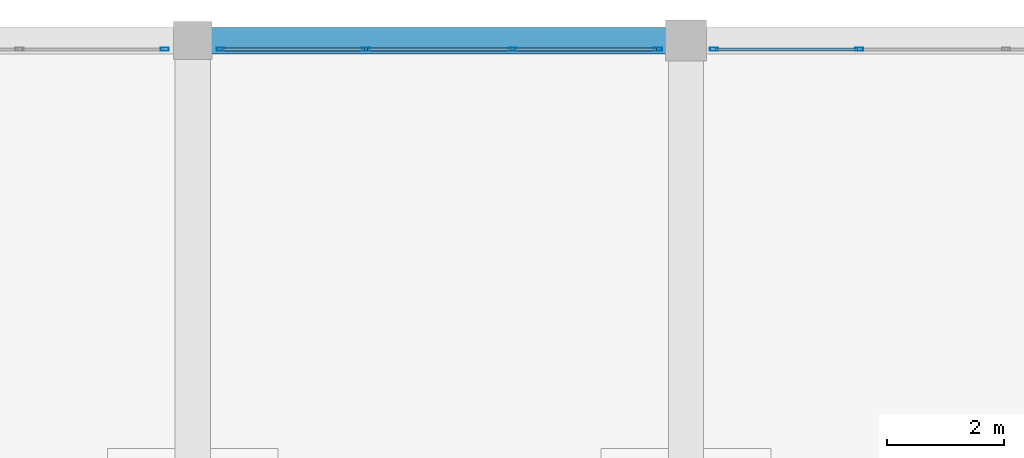
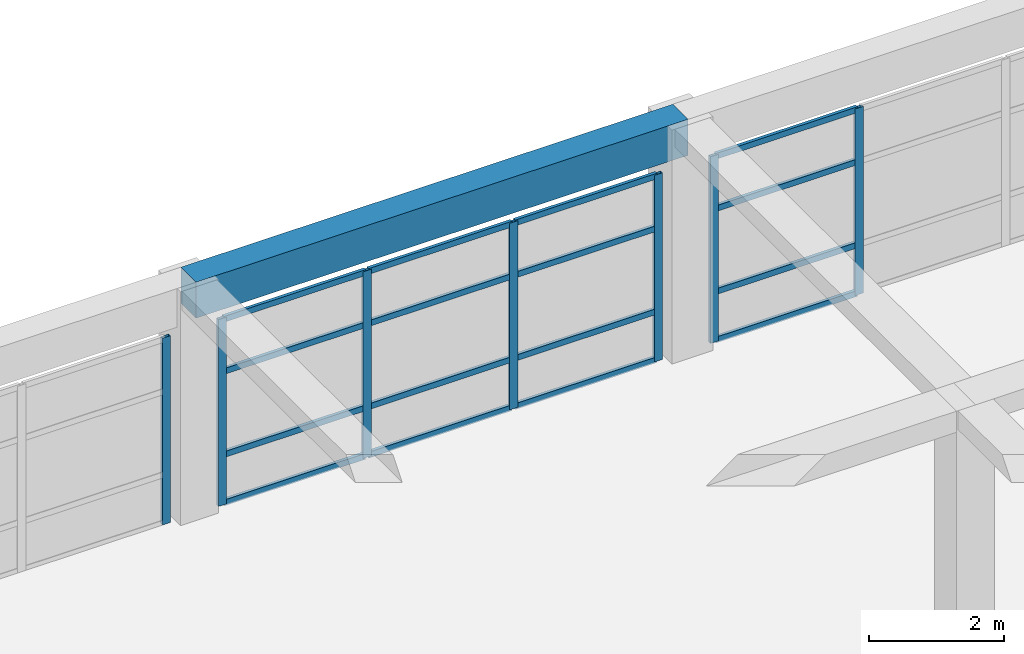
# One storey, part 59 of 85: 23 members, 1 beam, 3 elements without a shape of their own.
"""IFC4 building model written with IfcOpenShell, lengths in metres."""

from ifc_helpers import new_model, si_unit, direction, frame, origin, origin_2d, place, context, subcontext, project, spatial, rectangle, hollow_rectangle, extrude, material, material_profile, profile_set, type_object, element, aggregate, save


model = new_model("IFC4")

# Units and contexts
model_context = context("Model", 3, precision=1e-05, world=origin(), true_north=direction((0.0, 1.0)))
body_context = subcontext(model_context, "Body", "Model", "MODEL_VIEW")
ifc_project = project(units=[si_unit("LENGTHUNIT", "METRE"), si_unit("AREAUNIT", "SQUARE_METRE"), si_unit("VOLUMEUNIT", "CUBIC_METRE"), si_unit("PLANEANGLEUNIT", "RADIAN"), si_unit("MASSUNIT", "GRAM", prefix="KILO")], contexts=[model_context])

# Site, building, storey
site_placement = place(None, origin())
site = spatial("IfcSite", under=ifc_project, at=site_placement, CompositionType="ELEMENT")
building_placement = place(site_placement, origin())
building = spatial("IfcBuilding", under=site, at=building_placement, Name="Almacenes y Pasaje Nevantli", CompositionType="ELEMENT")
storey_placement = place(building_placement, frame((0.0, 0.0, 22.199951171875)))
storey = spatial("IfcBuildingStorey", under=building, at=storey_placement, Name="L05", CompositionType="ELEMENT", Elevation=22.199951171875)

# Beam
ifc_material_1 = material(Name="Concrete C35/45", Category="concrete")
ifc_material_profile_1 = material_profile(ifc_material_1, rectangle(XDim=0.449951171875, YDim=0.64990234375, at=origin_2d()), Name="RC-BM-450x650")
ifc_profile_set_1 = profile_set([ifc_material_profile_1], Name="Concrete C35/45")
beam_type = type_object("IfcBeamType", Name="BM-RC-450x650", PredefinedType="SPANDREL", material=ifc_profile_set_1)
beam_placement = place(storey_placement, frame((126.0, 117.60009765625, 3.89501953125), z_axis=(1.0, 0.0, 0.0), x_axis=(0.0, 1.0, 0.0)))
element("IfcBeam", 1, at=beam_placement, inside=storey, type_object=beam_type, Name="L05 East-West Reinforced Concrete Beam #3417", PredefinedType="SPANDREL", context=body_context, shape_type="SweptSolid", body=[
    extrude(rectangle(XDim=0.449951171875, YDim=0.64990234375, at=origin_2d()), origin(), (0.0, 0.0, 1.0), 8.39990234375),
])

# Curtain wall, member
ifc_material_2 = material(Name="Thermally Broken Aluminium and Low-E Glass", Category="aluminium")
curtain_wall_type = type_object("IfcCurtainWallType", Name="CW-UNIT-PODIUM", PredefinedType="USERDEFINED", material=ifc_material_2)
curtain_wall_1_placement = place(storey_placement, origin())
curtain_wall_1 = element("IfcCurtainWall", 2, at=curtain_wall_1_placement, inside=storey, type_object=curtain_wall_type, Name="L05 Sky-Lobby North Curtain Wall Bay 15", ObjectType="UNITIZED CURTAIN WALL", PredefinedType="USERDEFINED")
ifc_material_3 = material(Name="Thermally Broken Anodized Aluminium", Category="aluminium")
ifc_material_profile_2 = material_profile(ifc_material_3, hollow_rectangle(XDim=0.054931640625, YDim=0.139892578125, WallThickness=0.00341796875, at=origin_2d()), Name="ALU-MUL-55x140")
ifc_profile_set_2 = profile_set([ifc_material_profile_2], Name="Thermally Broken Anodized Aluminium")
member_type_1 = type_object("IfcMemberType", Name="CW-MUL-160", PredefinedType="MULLION", material=ifc_profile_set_2)
member_1_placement = place(storey_placement, frame((125.5224609375, 117.449951171875, 0.0), z_axis=(0.0, 0.0, 1.0), x_axis=(0.0, 1.0, 0.0)))
member_1 = element("IfcMember", 3, at=member_1_placement, type_object=member_type_1, Name="CW-L05-086 mullion 4", PredefinedType="MULLION", context=body_context, shape_type="SweptSolid", body=[
    extrude(hollow_rectangle(XDim=0.054931640625, YDim=0.139892578125, WallThickness=0.00341796875, at=origin_2d()), origin(), (0.0, 0.0, 1.0), 3.3701171875),
])
aggregate(curtain_wall_1, [member_1])

# Curtain wall, members
curtain_wall_2_placement = place(storey_placement, origin())
curtain_wall_2 = element("IfcCurtainWall", 4, at=curtain_wall_2_placement, inside=storey, type_object=curtain_wall_type, Name="L05 Sky-Lobby North Curtain Wall Bay 16", ObjectType="UNITIZED CURTAIN WALL", PredefinedType="USERDEFINED")
member_2_placement = place(storey_placement, frame((126.4775390625, 117.449951171875, 0.0), z_axis=(0.0, 0.0, 1.0), x_axis=(0.0, 1.0, 0.0)))
member_2 = element("IfcMember", 5, at=member_2_placement, type_object=member_type_1, Name="CW-L05-088 mullion 1", PredefinedType="MULLION", context=body_context, shape_type="SweptSolid", body=[
    extrude(hollow_rectangle(XDim=0.054931640625, YDim=0.139892578125, WallThickness=0.00341796875, at=origin_2d()), origin(), (0.0, 0.0, 1.0), 3.3701171875),
])
member_3_placement = place(storey_placement, frame((128.949951171875, 117.449951171875, 0.0), z_axis=(0.0, 0.0, 1.0), x_axis=(0.0, 1.0, 0.0)))
member_3 = element("IfcMember", 6, at=member_3_placement, type_object=member_type_1, Name="CW-L05-088 mullion 2", PredefinedType="MULLION", context=body_context, shape_type="SweptSolid", body=[
    extrude(hollow_rectangle(XDim=0.054931640625, YDim=0.139892578125, WallThickness=0.00341796875, at=origin_2d()), origin(), (0.0, 0.0, 1.0), 3.3701171875),
])
member_4_placement = place(storey_placement, frame((131.449951171875, 117.449951171875, 0.0), z_axis=(0.0, 0.0, 1.0), x_axis=(0.0, 1.0, 0.0)))
member_4 = element("IfcMember", 7, at=member_4_placement, type_object=member_type_1, Name="CW-L05-088 mullion 3", PredefinedType="MULLION", context=body_context, shape_type="SweptSolid", body=[
    extrude(hollow_rectangle(XDim=0.054931640625, YDim=0.139892578125, WallThickness=0.00341796875, at=origin_2d()), origin(), (0.0, 0.0, 1.0), 3.3701171875),
])
member_5_placement = place(storey_placement, frame((133.922607421875, 117.449951171875, 0.0), z_axis=(0.0, 0.0, 1.0), x_axis=(0.0, 1.0, 0.0)))
member_5 = element("IfcMember", 8, at=member_5_placement, type_object=member_type_1, Name="CW-L05-088 mullion 4", PredefinedType="MULLION", context=body_context, shape_type="SweptSolid", body=[
    extrude(hollow_rectangle(XDim=0.054931640625, YDim=0.139892578125, WallThickness=0.00341796875, at=origin_2d()), origin(), (0.0, 0.0, 1.0), 3.3701171875),
])

curtain_wall_3_placement = place(storey_placement, origin())
curtain_wall_3 = element("IfcCurtainWall", 9, at=curtain_wall_3_placement, inside=storey, type_object=curtain_wall_type, Name="L05 Sky-Lobby North Curtain Wall Bay 17", ObjectType="UNITIZED CURTAIN WALL", PredefinedType="USERDEFINED")
member_6_placement = place(storey_placement, frame((134.87744140625, 117.449951171875, 0.0), z_axis=(0.0, 0.0, 1.0), x_axis=(0.0, 1.0, 0.0)))
member_6 = element("IfcMember", 10, at=member_6_placement, type_object=member_type_1, Name="CW-L05-090 mullion 1", PredefinedType="MULLION", context=body_context, shape_type="SweptSolid", body=[
    extrude(hollow_rectangle(XDim=0.054931640625, YDim=0.139892578125, WallThickness=0.00341796875, at=origin_2d()), origin(), (0.0, 0.0, 1.0), 3.3701171875),
])
member_7_placement = place(storey_placement, frame((137.35009765625, 117.449951171875, 0.0), z_axis=(0.0, 0.0, 1.0), x_axis=(0.0, 1.0, 0.0)))
member_7 = element("IfcMember", 11, at=member_7_placement, type_object=member_type_1, Name="CW-L05-090 mullion 2", PredefinedType="MULLION", context=body_context, shape_type="SweptSolid", body=[
    extrude(hollow_rectangle(XDim=0.054931640625, YDim=0.139892578125, WallThickness=0.00341796875, at=origin_2d()), origin(), (0.0, 0.0, 1.0), 3.3701171875),
])

# Member
ifc_material_4 = material(Name="Thermally Broken Anodized Aluminium", Category="aluminium")
ifc_material_profile_3 = material_profile(ifc_material_4, hollow_rectangle(XDim=0.054931640625, YDim=0.10498046875, WallThickness=0.003173828125, at=origin_2d()), Name="ALU-TRN-55x105")
ifc_profile_set_3 = profile_set([ifc_material_profile_3], Name="Thermally Broken Anodized Aluminium")
member_type_2 = type_object("IfcMemberType", Name="CW-TRN-120", PredefinedType="USERDEFINED", material=ifc_profile_set_3)
member_8_placement = place(storey_placement, frame((126.5048828125, 117.449951171875, 0.027587890625), z_axis=(1.0, 0.0, 0.0), x_axis=(0.0, 1.0, 0.0)))
member_8 = element("IfcMember", 12, at=member_8_placement, type_object=member_type_2, Name="CW-L05-088 transom 1.1", ObjectType="TRANSOM", PredefinedType="USERDEFINED", context=body_context, shape_type="SweptSolid", body=[
    extrude(hollow_rectangle(XDim=0.054931640625, YDim=0.10498046875, WallThickness=0.003173828125, at=origin_2d()), origin(), (0.0, 0.0, 1.0), 2.417724609375),
])

member_9_placement = place(storey_placement, frame((126.5048828125, 117.449951171875, 0.900146484375), z_axis=(1.0, 0.0, 0.0), x_axis=(0.0, 1.0, 0.0)))
member_9 = element("IfcMember", 13, at=member_9_placement, type_object=member_type_2, Name="CW-L05-088 transom 1.2", ObjectType="TRANSOM", PredefinedType="USERDEFINED", context=body_context, shape_type="SweptSolid", body=[
    extrude(hollow_rectangle(XDim=0.054931640625, YDim=0.10498046875, WallThickness=0.003173828125, at=origin_2d()), origin(), (0.0, 0.0, 1.0), 2.417724609375),
])

member_10_placement = place(storey_placement, frame((126.5048828125, 117.449951171875, 2.400146484375), z_axis=(1.0, 0.0, 0.0), x_axis=(0.0, 1.0, 0.0)))
member_10 = element("IfcMember", 14, at=member_10_placement, type_object=member_type_2, Name="CW-L05-088 transom 1.3", ObjectType="TRANSOM", PredefinedType="USERDEFINED", context=body_context, shape_type="SweptSolid", body=[
    extrude(hollow_rectangle(XDim=0.054931640625, YDim=0.10498046875, WallThickness=0.003173828125, at=origin_2d()), origin(), (0.0, 0.0, 1.0), 2.417724609375),
])

member_11_placement = place(storey_placement, frame((126.5048828125, 117.449951171875, 3.342529296875), z_axis=(1.0, 0.0, 0.0), x_axis=(0.0, 1.0, 0.0)))
member_11 = element("IfcMember", 15, at=member_11_placement, type_object=member_type_2, Name="CW-L05-088 transom 1.4", ObjectType="TRANSOM", PredefinedType="USERDEFINED", context=body_context, shape_type="SweptSolid", body=[
    extrude(hollow_rectangle(XDim=0.054931640625, YDim=0.10498046875, WallThickness=0.003173828125, at=origin_2d()), origin(), (0.0, 0.0, 1.0), 2.417724609375),
])

member_12_placement = place(storey_placement, frame((128.9775390625, 117.449951171875, 0.027587890625), z_axis=(1.0, 0.0, 0.0), x_axis=(0.0, 1.0, 0.0)))
member_12 = element("IfcMember", 16, at=member_12_placement, type_object=member_type_2, Name="CW-L05-088 transom 2.1", ObjectType="TRANSOM", PredefinedType="USERDEFINED", context=body_context, shape_type="SweptSolid", body=[
    extrude(hollow_rectangle(XDim=0.054931640625, YDim=0.10498046875, WallThickness=0.003173828125, at=origin_2d()), origin(), (0.0, 0.0, 1.0), 2.445068359375),
])

member_13_placement = place(storey_placement, frame((128.9775390625, 117.449951171875, 0.900146484375), z_axis=(1.0, 0.0, 0.0), x_axis=(0.0, 1.0, 0.0)))
member_13 = element("IfcMember", 17, at=member_13_placement, type_object=member_type_2, Name="CW-L05-088 transom 2.2", ObjectType="TRANSOM", PredefinedType="USERDEFINED", context=body_context, shape_type="SweptSolid", body=[
    extrude(hollow_rectangle(XDim=0.054931640625, YDim=0.10498046875, WallThickness=0.003173828125, at=origin_2d()), origin(), (0.0, 0.0, 1.0), 2.445068359375),
])

member_14_placement = place(storey_placement, frame((128.9775390625, 117.449951171875, 2.400146484375), z_axis=(1.0, 0.0, 0.0), x_axis=(0.0, 1.0, 0.0)))
member_14 = element("IfcMember", 18, at=member_14_placement, type_object=member_type_2, Name="CW-L05-088 transom 2.3", ObjectType="TRANSOM", PredefinedType="USERDEFINED", context=body_context, shape_type="SweptSolid", body=[
    extrude(hollow_rectangle(XDim=0.054931640625, YDim=0.10498046875, WallThickness=0.003173828125, at=origin_2d()), origin(), (0.0, 0.0, 1.0), 2.445068359375),
])

member_15_placement = place(storey_placement, frame((128.9775390625, 117.449951171875, 3.342529296875), z_axis=(1.0, 0.0, 0.0), x_axis=(0.0, 1.0, 0.0)))
member_15 = element("IfcMember", 19, at=member_15_placement, type_object=member_type_2, Name="CW-L05-088 transom 2.4", ObjectType="TRANSOM", PredefinedType="USERDEFINED", context=body_context, shape_type="SweptSolid", body=[
    extrude(hollow_rectangle(XDim=0.054931640625, YDim=0.10498046875, WallThickness=0.003173828125, at=origin_2d()), origin(), (0.0, 0.0, 1.0), 2.445068359375),
])

member_16_placement = place(storey_placement, frame((131.4775390625, 117.449951171875, 0.027587890625), z_axis=(1.0, 0.0, 0.0), x_axis=(0.0, 1.0, 0.0)))
member_16 = element("IfcMember", 20, at=member_16_placement, type_object=member_type_2, Name="CW-L05-088 transom 3.1", ObjectType="TRANSOM", PredefinedType="USERDEFINED", context=body_context, shape_type="SweptSolid", body=[
    extrude(hollow_rectangle(XDim=0.054931640625, YDim=0.10498046875, WallThickness=0.003173828125, at=origin_2d()), origin(), (0.0, 0.0, 1.0), 2.41748046875),
])

member_17_placement = place(storey_placement, frame((131.4775390625, 117.449951171875, 0.900146484375), z_axis=(1.0, 0.0, 0.0), x_axis=(0.0, 1.0, 0.0)))
member_17 = element("IfcMember", 21, at=member_17_placement, type_object=member_type_2, Name="CW-L05-088 transom 3.2", ObjectType="TRANSOM", PredefinedType="USERDEFINED", context=body_context, shape_type="SweptSolid", body=[
    extrude(hollow_rectangle(XDim=0.054931640625, YDim=0.10498046875, WallThickness=0.003173828125, at=origin_2d()), origin(), (0.0, 0.0, 1.0), 2.41748046875),
])

member_18_placement = place(storey_placement, frame((131.4775390625, 117.449951171875, 2.400146484375), z_axis=(1.0, 0.0, 0.0), x_axis=(0.0, 1.0, 0.0)))
member_18 = element("IfcMember", 22, at=member_18_placement, type_object=member_type_2, Name="CW-L05-088 transom 3.3", ObjectType="TRANSOM", PredefinedType="USERDEFINED", context=body_context, shape_type="SweptSolid", body=[
    extrude(hollow_rectangle(XDim=0.054931640625, YDim=0.10498046875, WallThickness=0.003173828125, at=origin_2d()), origin(), (0.0, 0.0, 1.0), 2.41748046875),
])

member_19_placement = place(storey_placement, frame((131.4775390625, 117.449951171875, 3.342529296875), z_axis=(1.0, 0.0, 0.0), x_axis=(0.0, 1.0, 0.0)))
member_19 = element("IfcMember", 23, at=member_19_placement, type_object=member_type_2, Name="CW-L05-088 transom 3.4", ObjectType="TRANSOM", PredefinedType="USERDEFINED", context=body_context, shape_type="SweptSolid", body=[
    extrude(hollow_rectangle(XDim=0.054931640625, YDim=0.10498046875, WallThickness=0.003173828125, at=origin_2d()), origin(), (0.0, 0.0, 1.0), 2.41748046875),
])

aggregate(curtain_wall_2, [member_2, member_3, member_4, member_5, member_8, member_9, member_10, member_11, member_12, member_13, member_14, member_15, member_16, member_17, member_18, member_19])

member_20_placement = place(storey_placement, frame((134.905029296875, 117.449951171875, 0.027587890625), z_axis=(1.0, 0.0, 0.0), x_axis=(0.0, 1.0, 0.0)))
member_20 = element("IfcMember", 24, at=member_20_placement, type_object=member_type_2, Name="CW-L05-090 transom 1.1", ObjectType="TRANSOM", PredefinedType="USERDEFINED", context=body_context, shape_type="SweptSolid", body=[
    extrude(hollow_rectangle(XDim=0.054931640625, YDim=0.10498046875, WallThickness=0.003173828125, at=origin_2d()), origin(), (0.0, 0.0, 1.0), 2.41748046875),
])

member_21_placement = place(storey_placement, frame((134.905029296875, 117.449951171875, 0.900146484375), z_axis=(1.0, 0.0, 0.0), x_axis=(0.0, 1.0, 0.0)))
member_21 = element("IfcMember", 25, at=member_21_placement, type_object=member_type_2, Name="CW-L05-090 transom 1.2", ObjectType="TRANSOM", PredefinedType="USERDEFINED", context=body_context, shape_type="SweptSolid", body=[
    extrude(hollow_rectangle(XDim=0.054931640625, YDim=0.10498046875, WallThickness=0.003173828125, at=origin_2d()), origin(), (0.0, 0.0, 1.0), 2.41748046875),
])

member_22_placement = place(storey_placement, frame((134.905029296875, 117.449951171875, 2.400146484375), z_axis=(1.0, 0.0, 0.0), x_axis=(0.0, 1.0, 0.0)))
member_22 = element("IfcMember", 26, at=member_22_placement, type_object=member_type_2, Name="CW-L05-090 transom 1.3", ObjectType="TRANSOM", PredefinedType="USERDEFINED", context=body_context, shape_type="SweptSolid", body=[
    extrude(hollow_rectangle(XDim=0.054931640625, YDim=0.10498046875, WallThickness=0.003173828125, at=origin_2d()), origin(), (0.0, 0.0, 1.0), 2.41748046875),
])

member_23_placement = place(storey_placement, frame((134.905029296875, 117.449951171875, 3.342529296875), z_axis=(1.0, 0.0, 0.0), x_axis=(0.0, 1.0, 0.0)))
member_23 = element("IfcMember", 27, at=member_23_placement, type_object=member_type_2, Name="CW-L05-090 transom 1.4", ObjectType="TRANSOM", PredefinedType="USERDEFINED", context=body_context, shape_type="SweptSolid", body=[
    extrude(hollow_rectangle(XDim=0.054931640625, YDim=0.10498046875, WallThickness=0.003173828125, at=origin_2d()), origin(), (0.0, 0.0, 1.0), 2.41748046875),
])

aggregate(curtain_wall_3, [member_6, member_7, member_20, member_21, member_22, member_23])

save(model, "model.ifc")
